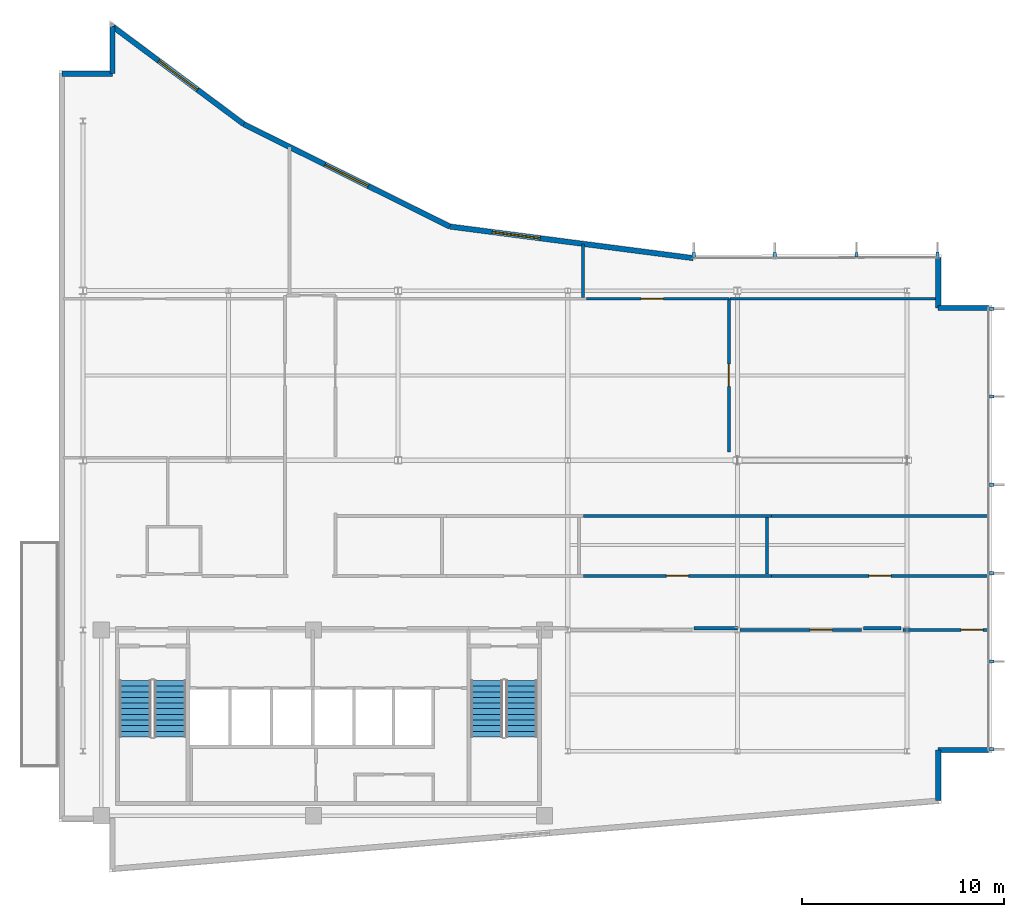
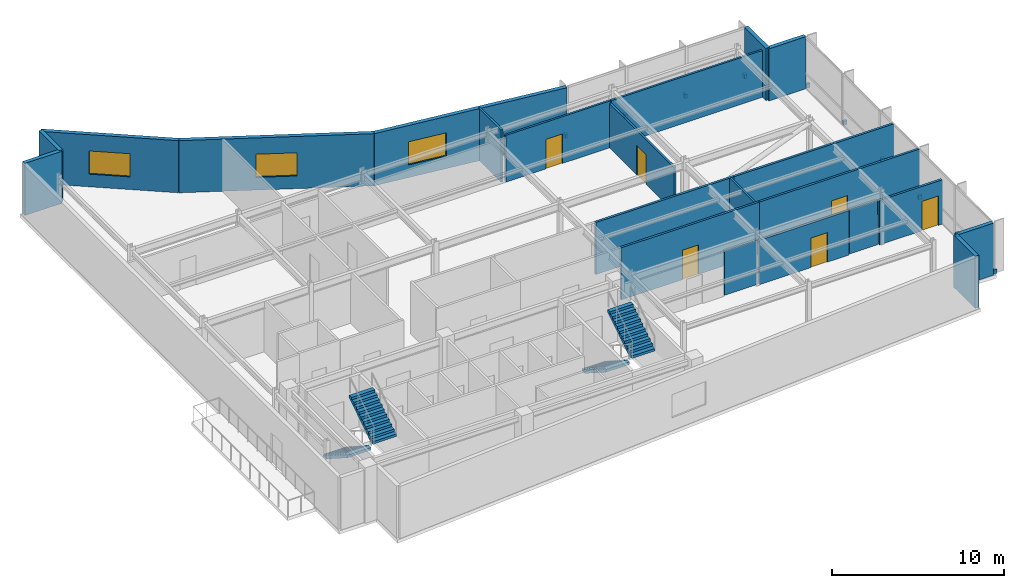
# One storey, part 16 of 19: 22 walls, 10 discrete accessories, 6 doors, 4 stair flights, 3 windows, 9 openings, 2 elements without a shape of their own.
"""IFC4 building model written with IfcOpenShell, lengths in metres."""

from ifc_helpers import new_model, si_unit, direction, frame, frame_2d, origin, origin_2d, place, context, subcontext, project, spatial, polyline, rectangle, outline, extrude, material, layer, layer_set, type_object, element, fill, aggregate, save


model = new_model("IFC4")

# Units and contexts
model_context = context("Model", 3, precision=1e-05, world=origin(), true_north=direction((0.0, 1.0)))
body_context = subcontext(model_context, "Body", "Model", "MODEL_VIEW")
ifc_project = project(units=[si_unit("LENGTHUNIT", "METRE"), si_unit("AREAUNIT", "SQUARE_METRE"), si_unit("VOLUMEUNIT", "CUBIC_METRE"), si_unit("PLANEANGLEUNIT", "RADIAN"), si_unit("MASSUNIT", "GRAM", prefix="KILO")], contexts=[model_context])

# Site, building, storey
site_placement = place(None, origin())
site = spatial("IfcSite", under=ifc_project, at=site_placement, CompositionType="ELEMENT")
building_placement = place(site_placement, origin())
building = spatial("IfcBuilding", under=site, at=building_placement, Name="Varnakote Quay Hospital", CompositionType="ELEMENT")
storey_placement = place(building_placement, frame((0.0, 0.0, 240.75)))
storey = spatial("IfcBuildingStorey", under=building, at=storey_placement, Name="L59", CompositionType="ELEMENT", Elevation=240.75)

# Walls
ifc_material_1 = material(Name="Fire-rated acoustic gypsum stud wall", Category="gypsum")
ifc_layer_1 = layer(ifc_material_1, 0.159912109375)
ifc_layer_set_1 = layer_set([ifc_layer_1], Name="Fire-rated acoustic gypsum stud wall")
wall_type_1 = type_object("IfcWallType", Name="WL-COMP-160", PredefinedType="PARTITIONING", material=ifc_layer_set_1)
wall_1_placement = place(storey_placement, frame((31.439208984375, 12.080078125, 0.0), z_axis=(0.0, 0.0, 1.0), x_axis=(1.0, 0.0, 0.0)))
element("IfcWall", 1, at=wall_1_placement, inside=storey, type_object=wall_type_1, Name="L59 Corridor South Gap Wall", PredefinedType="PARTITIONING", context=body_context, shape_type="SweptSolid", body=[
    extrude(rectangle(XDim=2.198486328125, YDim=0.159912109375, at=frame_2d((1.09912109375, 0.0))), origin(), (0.0, 0.0, 1.0), 3.156982421875),
])
wall_2_placement = place(storey_placement, frame((39.83935546875, 12.080078125, 0.0), z_axis=(0.0, 0.0, 1.0), x_axis=(1.0, 0.0, 0.0)))
element("IfcWall", 2, at=wall_2_placement, inside=storey, type_object=wall_type_1, Name="L59 Corridor South Gap Wall", PredefinedType="PARTITIONING", context=body_context, shape_type="SweptSolid", body=[
    extrude(rectangle(XDim=1.871337890625, YDim=0.159912109375, at=frame_2d((0.935546875, 0.0))), origin(), (0.0, 0.0, 1.0), 3.156982421875),
])
ifc_material_2 = material(Name="Precast concrete N50 (f'c 50 MPa)", Category="concrete")
ifc_layer_2 = layer(ifc_material_2, 0.260009765625)
ifc_layer_set_2 = layer_set([ifc_layer_2], Name="Precast concrete N50 (f'c 50 MPa)")
wall_type_2 = type_object("IfcWallType", Name="WL-EXT-BRICK-260", PredefinedType="STANDARD", material=ifc_layer_set_2)
wall_3_placement = place(storey_placement, frame((43.5400390625, 3.54736328125, 0.0), z_axis=(0.0, 0.0, 1.0), x_axis=(0.0, 1.0, 0.0)))
element("IfcWall", 3, at=wall_3_placement, inside=storey, type_object=wall_type_2, Name="L59 Brick-Faced Precast Exterior Wall", PredefinedType="STANDARD", context=body_context, shape_type="SweptSolid", body=[
    extrude(rectangle(XDim=2.5126953125, YDim=0.260009765625, at=frame_2d((1.25634765625, 0.0))), origin(), (0.0, 0.0, 1.0), 3.7099609375),
])
for number, where, z_axis, x_axis, name in (
    (4, (43.5400390625, 6.06005859375, 0.0), (0.0, 0.0, 1.0), (1.0, 0.0, 0.0), "L59 Brick-Faced Precast Exterior Wall"),
    (5, (46.0400390625, 27.93994140625, 0.0), (0.0, 0.0, 1.0), (-1.0, 0.0, 0.0), "L59 Brick-Faced Precast Exterior Wall"),
):
    element("IfcWall", number, at=place(storey_placement, frame(where, z_axis=z_axis, x_axis=x_axis)), inside=storey, type_object=wall_type_2, Name=name, PredefinedType="STANDARD", context=body_context, shape_type="SweptSolid", body=[
        extrude(rectangle(XDim=2.5, YDim=0.260009765625, at=frame_2d((1.25, 0.0))), origin(), (0.0, 0.0, 1.0), 3.7099609375),
    ])
wall_4_placement = place(storey_placement, frame((43.5400390625, 27.93994140625, 0.0), z_axis=(0.0, 0.0, 1.0), x_axis=(0.0, 1.0, 0.0)))
element("IfcWall", 6, at=wall_4_placement, inside=storey, type_object=wall_type_2, Name="L59 Brick-Faced Precast Exterior Wall", PredefinedType="STANDARD", context=body_context, shape_type="SweptSolid", body=[
    extrude(rectangle(XDim=2.499755859375, YDim=0.260009765625, at=frame_2d((1.25, 0.0))), origin(), (0.0, 0.0, 1.0), 3.7099609375),
])

# Wall, opening, window
wall_5_placement = place(storey_placement, frame((31.406005859375, 30.407958984375, 0.0), z_axis=(0.0, 0.0, 1.0), x_axis=(-0.991671073677, 0.128796279577, 0.0)))
wall_5 = element("IfcWall", 7, at=wall_5_placement, inside=storey, type_object=wall_type_2, Name="L59 Brick-Faced Precast Exterior Wall", PredefinedType="STANDARD", context=body_context, shape_type="SweptSolid", body=[
    extrude(rectangle(XDim=12.150634765625, YDim=0.260009765625, at=frame_2d((6.0751953125, 0.0))), origin(), (0.0, 0.0, 1.0), 3.7099609375),
])
opening_1_placement = place(wall_5_placement, frame((7.631103515625, 0.0, 0.89990234375)))
opening_1 = element("IfcOpeningElement", 8, at=opening_1_placement, cuts=wall_5, Name="Opening WN-0239", PredefinedType="OPENING", context=body_context, shape_type="SweptSolid", body=[
    extrude(rectangle(XDim=2.39990234375, YDim=1.64990234375, at=frame_2d((1.199951171875, 0.824951171875))), frame((0.0, 0.139892578125, 0.0), z_axis=(0.0, -1.0, 0.0), x_axis=(1.0, 0.0, 0.0)), (0.0, 0.0, 1.0), 0.280029296875),
])
ifc_material_3 = material(Name="Double-glazed low-E solar glass", Category="glass")
window_type = type_object("IfcWindowType", Name="WIN-CLIN-2400x1650", PartitioningType="SINGLE_PANEL", PredefinedType="WINDOW", material=ifc_material_3)
window_1_placement = place(opening_1_placement, origin())
window_1 = element("IfcWindow", 9, at=window_1_placement, inside=storey, type_object=window_type, Name="L59 Solar-Control Clinical Window", OverallHeight=1.64990234375, OverallWidth=2.39990234375, PartitioningType="SINGLE_PANEL", PredefinedType="WINDOW", context=body_context, shape_type="SweptSolid", body=[
    extrude(rectangle(XDim=2.39990234375, YDim=1.64990234375, at=frame_2d((1.199951171875, 0.824951171875))), frame((0.0, 0.030029296875, 0.0), z_axis=(0.0, -1.0, 0.0), x_axis=(1.0, 0.0, 0.0)), (0.0, 0.0, 1.0), 0.06005859375),
])
fill(opening_1, window_1)

wall_6_placement = place(storey_placement, frame((19.356689453125, 31.972900390625, 0.0), z_axis=(0.0, 0.0, 1.0), x_axis=(-0.895624365378, 0.444811191565, 0.0)))
wall_6 = element("IfcWall", 10, at=wall_6_placement, inside=storey, type_object=wall_type_2, Name="L59 Brick-Faced Precast Exterior Wall", PredefinedType="STANDARD", context=body_context, shape_type="SweptSolid", body=[
    extrude(rectangle(XDim=11.389404296875, YDim=0.260009765625, at=frame_2d((5.69482421875, 0.0))), origin(), (0.0, 0.0, 1.0), 3.7099609375),
])
opening_2_placement = place(wall_6_placement, frame((4.494873046875, 0.0, 0.89990234375)))
opening_2 = element("IfcOpeningElement", 11, at=opening_2_placement, cuts=wall_6, Name="Opening WN-0240", PredefinedType="OPENING", context=body_context, shape_type="SweptSolid", body=[
    extrude(rectangle(XDim=2.39990234375, YDim=1.64990234375, at=frame_2d((1.199951171875, 0.824951171875))), frame((0.0, 0.139892578125, 0.0), z_axis=(0.0, -1.0, 0.0), x_axis=(1.0, 0.0, 0.0)), (0.0, 0.0, 1.0), 0.280029296875),
])
window_2_placement = place(opening_2_placement, origin())
window_2 = element("IfcWindow", 12, at=window_2_placement, inside=storey, type_object=window_type, Name="L59 Solar-Control Clinical Window", OverallHeight=1.64990234375, OverallWidth=2.39990234375, PartitioningType="SINGLE_PANEL", PredefinedType="WINDOW", context=body_context, shape_type="SweptSolid", body=[
    extrude(rectangle(XDim=2.39990234375, YDim=1.64990234375, at=frame_2d((1.199951171875, 0.824951171875))), frame((0.0, 0.030029296875, 0.0), z_axis=(0.0, -1.0, 0.0), x_axis=(1.0, 0.0, 0.0)), (0.0, 0.0, 1.0), 0.06005859375),
])
fill(opening_2, window_2)

wall_7_placement = place(storey_placement, frame((9.156005859375, 37.0390625, 0.0), z_axis=(0.0, 0.0, 1.0), x_axis=(-0.801775528243, 0.597625302602, 0.0)))
wall_7 = element("IfcWall", 13, at=wall_7_placement, inside=storey, type_object=wall_type_2, Name="L59 Brick-Faced Precast Exterior Wall", PredefinedType="STANDARD", context=body_context, shape_type="SweptSolid", body=[
    extrude(rectangle(XDim=8.10205078125, YDim=0.260009765625, at=frame_2d((4.051025390625, 0.0))), origin(), (0.0, 0.0, 1.0), 3.7099609375),
])
opening_3_placement = place(wall_7_placement, frame((2.85107421875, 0.0, 0.89990234375)))
opening_3 = element("IfcOpeningElement", 14, at=opening_3_placement, cuts=wall_7, Name="Opening WN-0241", PredefinedType="OPENING", context=body_context, shape_type="SweptSolid", body=[
    extrude(rectangle(XDim=2.39990234375, YDim=1.64990234375, at=frame_2d((1.199951171875, 0.824951171875))), frame((0.0, 0.139892578125, 0.0), z_axis=(0.0, -1.0, 0.0), x_axis=(1.0, 0.0, 0.0)), (0.0, 0.0, 1.0), 0.280029296875),
])
window_3_placement = place(opening_3_placement, origin())
window_3 = element("IfcWindow", 15, at=window_3_placement, inside=storey, type_object=window_type, Name="L59 Solar-Control Clinical Window", OverallHeight=1.64990234375, OverallWidth=2.39990234375, PartitioningType="SINGLE_PANEL", PredefinedType="WINDOW", context=body_context, shape_type="SweptSolid", body=[
    extrude(rectangle(XDim=2.39990234375, YDim=1.64990234375, at=frame_2d((1.199951171875, 0.824951171875))), frame((0.0, 0.030029296875, 0.0), z_axis=(0.0, -1.0, 0.0), x_axis=(1.0, 0.0, 0.0)), (0.0, 0.0, 1.0), 0.06005859375),
])
fill(opening_3, window_3)

# Walls
wall_8_placement = place(storey_placement, frame((2.659912109375, 41.881103515625, 0.0), z_axis=(0.0, 0.0, 1.0), x_axis=(0.0, -1.0, 0.0)))
element("IfcWall", 16, at=wall_8_placement, inside=storey, type_object=wall_type_2, Name="L59 Brick-Faced Precast Exterior Wall", PredefinedType="STANDARD", context=body_context, shape_type="SweptSolid", body=[
    extrude(rectangle(XDim=2.341064453125, YDim=0.260009765625, at=frame_2d((1.17041015625, 0.0))), origin(), (0.0, 0.0, 1.0), 3.7099609375),
])
wall_9_placement = place(storey_placement, frame((2.659912109375, 39.5400390625, 0.0), z_axis=(0.0, 0.0, 1.0), x_axis=(-1.0, 0.0, 0.0)))
element("IfcWall", 17, at=wall_9_placement, inside=storey, type_object=wall_type_2, Name="L59 Brick-Faced Precast Exterior Wall", PredefinedType="STANDARD", context=body_context, shape_type="SweptSolid", body=[
    extrude(rectangle(XDim=2.5, YDim=0.260009765625, at=frame_2d((1.25, 0.0))), origin(), (0.0, 0.0, 1.0), 3.7099609375),
])
ifc_material_4 = material(Name="Smoke-proof clinical partition", Category="gypsum")
ifc_layer_3 = layer(ifc_material_4, 0.135009765625)
ifc_layer_set_3 = layer_set([ifc_layer_3], Name="Smoke-proof clinical partition")
wall_type_3 = type_object("IfcWallType", Name="WL-SMOKE-135", PredefinedType="PARTITIONING", material=ifc_layer_set_3)
wall_10_placement = place(storey_placement, frame((35.06005859375, 14.760009765625, 0.0), z_axis=(0.0, 0.0, 1.0), x_axis=(0.0, 1.0, 0.0)))
element("IfcWall", 18, at=wall_10_placement, inside=storey, type_object=wall_type_3, Name="L59 Clinical Interior Partition", PredefinedType="PARTITIONING", context=body_context, shape_type="SweptSolid", body=[
    extrude(rectangle(XDim=2.81005859375, YDim=0.135009765625, at=frame_2d((1.405029296875, 0.0))), origin(), (0.0, 0.0, 1.0), 3.7099609375),
])

# Wall, opening, door
wall_11_placement = place(storey_placement, frame((33.179931640625, 20.820068359375, 0.0), z_axis=(0.0, 0.0, 1.0), x_axis=(0.0, 1.0, 0.0)))
wall_11 = element("IfcWall", 19, at=wall_11_placement, inside=storey, type_object=wall_type_3, Name="L59 Clinical Interior Partition", PredefinedType="PARTITIONING", context=body_context, shape_type="SweptSolid", body=[
    extrude(rectangle(XDim=7.579833984375, YDim=0.135009765625, at=frame_2d((3.7900390625, 0.0))), origin(), (0.0, 0.0, 1.0), 3.156982421875),
])
opening_4_placement = place(wall_11_placement, frame((3.239990234375, 0.0, 0.0)))
opening_4 = element("IfcOpeningElement", 20, at=opening_4_placement, cuts=wall_11, Name="Opening D-L59-MD08", PredefinedType="OPENING", context=body_context, shape_type="SweptSolid", body=[
    extrude(rectangle(XDim=1.10009765625, YDim=2.10009765625, at=frame_2d((0.550048828125, 1.050048828125))), frame((0.0, 0.077392578125, 0.0), z_axis=(0.0, -1.0, 0.0), x_axis=(1.0, 0.0, 0.0)), (0.0, 0.0, 1.0), 0.155029296875),
])
ifc_material_5 = material(Name="Acoustic timber clinical consult door", Category="wood")
door_type = type_object("IfcDoorType", Name="DR-CLIN-FD30S-1100x2100", OperationType="NOTDEFINED", PredefinedType="DOOR", material=ifc_material_5)
door_1_placement = place(opening_4_placement, origin())
door_1 = element("IfcDoor", 21, at=door_1_placement, inside=storey, type_object=door_type, Name="L59 Ward Preparation Pantry Door", OperationType="SINGLE_SWING_RIGHT", OverallHeight=2.10009765625, OverallWidth=1.10009765625, PredefinedType="DOOR", context=body_context, shape_type="SweptSolid", body=[
    extrude(rectangle(XDim=1.10009765625, YDim=2.10009765625, at=frame_2d((0.550048828125, 1.050048828125))), frame((0.0, 0.02490234375, 0.0), z_axis=(0.0, -1.0, 0.0), x_axis=(1.0, 0.0, 0.0)), (0.0, 0.0, 1.0), 0.050048828125),
])
fill(opening_4, door_1)

wall_12_placement = place(storey_placement, frame((33.179931640625, 28.39990234375, 0.0), z_axis=(0.0, 0.0, 1.0), x_axis=(-1.0, 0.0, 0.0)))
wall_12 = element("IfcWall", 22, at=wall_12_placement, inside=storey, type_object=wall_type_3, Name="L59 Clinical Interior Partition", PredefinedType="PARTITIONING", context=body_context, shape_type="SweptSolid", body=[
    extrude(rectangle(XDim=7.03955078125, YDim=0.135009765625, at=frame_2d((3.519775390625, 0.0))), origin(), (0.0, 0.0, 1.0), 3.325927734375),
])
opening_5_placement = place(wall_12_placement, frame((3.24658203125, 0.0, 0.0)))
opening_5 = element("IfcOpeningElement", 23, at=opening_5_placement, cuts=wall_12, Name="Opening D-L59-MD11", PredefinedType="OPENING", context=body_context, shape_type="SweptSolid", body=[
    extrude(rectangle(XDim=1.10009765625, YDim=2.10009765625, at=frame_2d((0.550048828125, 1.050048828125))), frame((0.0, 0.077392578125, 0.0), z_axis=(0.0, -1.0, 0.0), x_axis=(1.0, 0.0, 0.0)), (0.0, 0.0, 1.0), 0.155029296875),
])
door_2_placement = place(opening_5_placement, origin())
door_2 = element("IfcDoor", 24, at=door_2_placement, inside=storey, type_object=door_type, Name="L59 Senior Registrar Office Door", OperationType="SINGLE_SWING_LEFT", OverallHeight=2.10009765625, OverallWidth=1.10009765625, PredefinedType="DOOR", context=body_context, shape_type="SweptSolid", body=[
    extrude(rectangle(XDim=1.10009765625, YDim=2.10009765625, at=frame_2d((0.550048828125, 1.050048828125))), frame((0.0, 0.02490234375, 0.0), z_axis=(0.0, -1.0, 0.0), x_axis=(1.0, 0.0, 0.0)), (0.0, 0.0, 1.0), 0.050048828125),
])
fill(opening_5, door_2)

# Walls
wall_13_placement = place(storey_placement, frame((43.5400390625, 28.39990234375, 0.0), z_axis=(0.0, 0.0, 1.0), x_axis=(-1.0, 0.0, 0.0)))
element("IfcWall", 25, at=wall_13_placement, inside=storey, type_object=wall_type_3, Name="L59 Clinical Interior Partition", PredefinedType="PARTITIONING", context=body_context, shape_type="SweptSolid", body=[
    extrude(rectangle(XDim=10.302490234375, YDim=0.135009765625, at=frame_2d((5.1513671875, 0.0))), origin(), (0.0, 0.0, 1.0), 3.325927734375),
])
wall_14_placement = place(storey_placement, frame((25.9599609375, 28.45751953125, 0.0), z_axis=(0.0, 0.0, 1.0), x_axis=(0.0, 1.0, 0.0)))
element("IfcWall", 26, at=wall_14_placement, inside=storey, type_object=wall_type_3, Name="L59 Clinical Interior Partition", PredefinedType="PARTITIONING", context=body_context, shape_type="SweptSolid", body=[
    extrude(rectangle(XDim=2.65771484375, YDim=0.135009765625, at=frame_2d((1.328857421875, 0.0))), origin(), (0.0, 0.0, 1.0), 3.7099609375),
])

# Wall, opening, door
ifc_material_6 = material(Name="Fire-rated clinical gypsum partition", Category="gypsum")
ifc_layer_4 = layer(ifc_material_6, 0.14990234375)
ifc_layer_set_4 = layer_set([ifc_layer_4], Name="Fire-rated clinical gypsum partition")
wall_type_4 = type_object("IfcWallType", Name="WL-WARD-150", PredefinedType="PARTITIONING", material=ifc_layer_set_4)
wall_15_placement = place(storey_placement, frame((39.75, 12.0, 0.0), z_axis=(0.0, 0.0, 1.0), x_axis=(-1.0, 0.0, 0.0)))
wall_15 = element("IfcWall", 27, at=wall_15_placement, inside=storey, type_object=wall_type_4, Name="L59 Clinical Interior Partition", PredefinedType="PARTITIONING", context=body_context, shape_type="SweptSolid", body=[
    extrude(rectangle(XDim=6.02294921875, YDim=0.14990234375, at=frame_2d((3.011474609375, 0.0))), origin(), (0.0, 0.0, 1.0), 3.156982421875),
])
opening_6_placement = place(wall_15_placement, frame((1.44384765625, 0.0, 0.0)))
opening_6 = element("IfcOpeningElement", 28, at=opening_6_placement, cuts=wall_15, Name="Opening D-L59-RM1", PredefinedType="OPENING", context=body_context, shape_type="SweptSolid", body=[
    extrude(rectangle(XDim=1.10009765625, YDim=2.10009765625, at=frame_2d((0.550048828125, 1.050048828125))), frame((0.0, 0.0849609375, 0.0), z_axis=(0.0, -1.0, 0.0), x_axis=(1.0, 0.0, 0.0)), (0.0, 0.0, 1.0), 0.169921875),
])
door_3_placement = place(opening_6_placement, origin())
door_3 = element("IfcDoor", 29, at=door_3_placement, inside=storey, type_object=door_type, Name="L59 Cardiac Telemetry Treatment Suite Door", OperationType="SINGLE_SWING_RIGHT", OverallHeight=2.10009765625, OverallWidth=1.10009765625, PredefinedType="DOOR", context=body_context, shape_type="SweptSolid", body=[
    extrude(rectangle(XDim=1.10009765625, YDim=2.10009765625, at=frame_2d((0.550048828125, 1.050048828125))), frame((0.0, 0.02490234375, 0.0), z_axis=(0.0, -1.0, 0.0), x_axis=(1.0, 0.0, 0.0)), (0.0, 0.0, 1.0), 0.050048828125),
])
fill(opening_6, door_3)

wall_16_placement = place(storey_placement, frame((46.0400390625, 12.0, 0.0), z_axis=(0.0, 0.0, 1.0), x_axis=(-1.0, 0.0, 0.0)))
wall_16 = element("IfcWall", 30, at=wall_16_placement, inside=storey, type_object=wall_type_4, Name="L59 Clinical Interior Partition", PredefinedType="PARTITIONING", context=body_context, shape_type="SweptSolid", body=[
    extrude(rectangle(XDim=4.239990234375, YDim=0.14990234375, at=frame_2d((2.1201171875, 0.0))), origin(), (0.0, 0.0, 1.0), 3.156982421875),
])
opening_7_placement = place(wall_16_placement, frame((0.2685546875, 0.0, 0.0)))
opening_7 = element("IfcOpeningElement", 31, at=opening_7_placement, cuts=wall_16, Name="Opening D-L59-SE1", PredefinedType="OPENING", context=body_context, shape_type="SweptSolid", body=[
    extrude(rectangle(XDim=1.10009765625, YDim=2.10009765625, at=frame_2d((0.550048828125, 1.050048828125))), frame((0.0, 0.0849609375, 0.0), z_axis=(0.0, -1.0, 0.0), x_axis=(1.0, 0.0, 0.0)), (0.0, 0.0, 1.0), 0.169921875),
])
door_4_placement = place(opening_7_placement, origin())
door_4 = element("IfcDoor", 32, at=door_4_placement, inside=storey, type_object=door_type, Name="L59 Clinical Biomedical Engineering Office Door", OperationType="SINGLE_SWING_LEFT", OverallHeight=2.10009765625, OverallWidth=1.10009765625, PredefinedType="DOOR", context=body_context, shape_type="SweptSolid", body=[
    extrude(rectangle(XDim=1.10009765625, YDim=2.10009765625, at=frame_2d((0.550048828125, 1.050048828125))), frame((0.0, 0.02490234375, 0.0), z_axis=(0.0, -1.0, 0.0), x_axis=(1.0, 0.0, 0.0)), (0.0, 0.0, 1.0), 0.050048828125),
])
fill(opening_7, door_4)

wall_17_placement = place(storey_placement, frame((35.285888671875, 14.679931640625, 0.0), z_axis=(0.0, 0.0, 1.0), x_axis=(-1.0, 0.0, 0.0)))
wall_17 = element("IfcWall", 33, at=wall_17_placement, inside=storey, type_object=wall_type_4, Name="L59 Clinical Interior Partition", PredefinedType="PARTITIONING", context=body_context, shape_type="SweptSolid", body=[
    extrude(rectangle(XDim=9.2978515625, YDim=0.14990234375, at=frame_2d((4.64892578125, 0.0))), origin(), (0.0, 0.0, 1.0), 3.7099609375),
])
opening_8_placement = place(wall_17_placement, frame((4.09912109375, 0.0, 0.0)))
opening_8 = element("IfcOpeningElement", 34, at=opening_8_placement, cuts=wall_17, Name="Opening D-L59-MD04", PredefinedType="OPENING", context=body_context, shape_type="SweptSolid", body=[
    extrude(rectangle(XDim=1.10009765625, YDim=2.10009765625, at=frame_2d((0.550048828125, 1.050048828125))), frame((0.0, 0.0849609375, 0.0), z_axis=(0.0, -1.0, 0.0), x_axis=(1.0, 0.0, 0.0)), (0.0, 0.0, 1.0), 0.169921875),
])
door_5_placement = place(opening_8_placement, origin())
door_5 = element("IfcDoor", 35, at=door_5_placement, inside=storey, type_object=door_type, Name="L59 Ward Preparation Pantry Door", OperationType="SINGLE_SWING_RIGHT", OverallHeight=2.10009765625, OverallWidth=1.10009765625, PredefinedType="DOOR", context=body_context, shape_type="SweptSolid", body=[
    extrude(rectangle(XDim=1.10009765625, YDim=2.10009765625, at=frame_2d((0.550048828125, 1.050048828125))), frame((0.0, 0.02490234375, 0.0), z_axis=(0.0, -1.0, 0.0), x_axis=(1.0, 0.0, 0.0)), (0.0, 0.0, 1.0), 0.050048828125),
])
fill(opening_8, door_5)

wall_18_placement = place(storey_placement, frame((46.0400390625, 14.679931640625, 0.0), z_axis=(0.0, 0.0, 1.0), x_axis=(-1.0, 0.0, 0.0)))
wall_18 = element("IfcWall", 36, at=wall_18_placement, inside=storey, type_object=wall_type_4, Name="L59 Clinical Interior Partition", PredefinedType="PARTITIONING", context=body_context, shape_type="SweptSolid", body=[
    extrude(rectangle(XDim=10.751953125, YDim=0.14990234375, at=frame_2d((5.3759765625, 0.0))), origin(), (0.0, 0.0, 1.0), 3.7099609375),
])
opening_9_placement = place(wall_18_placement, frame((4.825927734375, 0.0, 0.0)))
opening_9 = element("IfcOpeningElement", 37, at=opening_9_placement, cuts=wall_18, Name="Opening D-L59-MD05", PredefinedType="OPENING", context=body_context, shape_type="SweptSolid", body=[
    extrude(rectangle(XDim=1.10009765625, YDim=2.10009765625, at=frame_2d((0.550048828125, 1.050048828125))), frame((0.0, 0.0849609375, 0.0), z_axis=(0.0, -1.0, 0.0), x_axis=(1.0, 0.0, 0.0)), (0.0, 0.0, 1.0), 0.169921875),
])
door_6_placement = place(opening_9_placement, origin())
door_6 = element("IfcDoor", 38, at=door_6_placement, inside=storey, type_object=door_type, Name="L59 Multidisciplinary Clinical Consultation Suite Door", OperationType="SINGLE_SWING_LEFT", OverallHeight=2.10009765625, OverallWidth=1.10009765625, PredefinedType="DOOR", context=body_context, shape_type="SweptSolid", body=[
    extrude(rectangle(XDim=1.10009765625, YDim=2.10009765625, at=frame_2d((0.550048828125, 1.050048828125))), frame((0.0, 0.02490234375, 0.0), z_axis=(0.0, -1.0, 0.0), x_axis=(1.0, 0.0, 0.0)), (0.0, 0.0, 1.0), 0.050048828125),
])
fill(opening_9, door_6)

# Walls
wall_19_placement = place(storey_placement, frame((25.988037109375, 17.64990234375, 0.0), z_axis=(0.0, 0.0, 1.0), x_axis=(1.0, 0.0, 0.0)))
element("IfcWall", 39, at=wall_19_placement, inside=storey, type_object=wall_type_4, Name="L59 Clinical Interior Partition", PredefinedType="PARTITIONING", context=body_context, shape_type="SweptSolid", body=[
    extrude(rectangle(XDim=9.2978515625, YDim=0.14990234375, at=frame_2d((4.64892578125, 0.0))), origin(), (0.0, 0.0, 1.0), 3.7099609375),
])
wall_20_placement = place(storey_placement, frame((35.2880859375, 17.64990234375, 0.0), z_axis=(0.0, 0.0, 1.0), x_axis=(1.0, 0.0, 0.0)))
element("IfcWall", 40, at=wall_20_placement, inside=storey, type_object=wall_type_4, Name="L59 Clinical Interior Partition", PredefinedType="PARTITIONING", context=body_context, shape_type="SweptSolid", body=[
    extrude(rectangle(XDim=10.751953125, YDim=0.14990234375, at=frame_2d((5.3759765625, 0.0))), origin(), (0.0, 0.0, 1.0), 3.7099609375),
])

# Stair, stair flights
ifc_material_7 = material(Name="Concrete N40 (f'c 40 MPa)", Category="concrete")
stair_type = type_object("IfcStairType", Name="STR-CORE-1580", PredefinedType="HALF_TURN_STAIR", material=ifc_material_7)
stair_1_placement = place(storey_placement, origin())
stair_1 = element("IfcStair", 41, at=stair_1_placement, inside=storey, type_object=stair_type, Name="L59 Fire-Isolated Exit Stair ST-01", PredefinedType="HALF_TURN_STAIR")
ifc_material_8 = material(Name="Concrete N40 (f'c 40 MPa)", Category="concrete")
ifc_layer_5 = layer(ifc_material_8, 0.159912109375)
ifc_layer_set_5 = layer_set([ifc_layer_5], Name="Concrete N40 (f'c 40 MPa)")
stair_flight_type = type_object("IfcStairFlightType", Name="FLT-CORE-1580", PredefinedType="STRAIGHT", material=ifc_layer_set_5)
stair_flight_1_placement = place(storey_placement, frame((3.7900390625, 9.5, 0.0), z_axis=(0.0, 0.0, 1.0), x_axis=(0.0, -1.0, 0.0)))
stair_flight_1 = element("IfcStairFlight", 42, at=stair_flight_1_placement, type_object=stair_flight_type, Name="ST-01 flight 1", NumberOfRisers=11, NumberOfTreads=10, PredefinedType="STRAIGHT", RiserHeight=0.179545455, TreadLength=0.28, context=body_context, shape_type="SweptSolid", body=[
    extrude(outline(polyline([(0.0, 0.0), (0.0, 0.179443359375), (0.280029296875, 0.179443359375), (0.280029296875, 0.359130859375), (0.56005859375, 0.359130859375), (0.56005859375, 0.53857421875), (0.840087890625, 0.53857421875), (0.840087890625, 0.71826171875), (1.1201171875, 0.71826171875), (1.1201171875, 0.897705078125), (1.39990234375, 0.897705078125), (1.39990234375, 1.077392578125), (1.679931640625, 1.077392578125), (1.679931640625, 1.2568359375), (1.9599609375, 1.2568359375), (1.9599609375, 1.436279296875), (2.239990234375, 1.436279296875), (2.239990234375, 1.615966796875), (2.52001953125, 1.615966796875), (2.52001953125, 1.79541015625), (2.800048828125, 1.79541015625), (2.800048828125, 1.97509765625), (2.800048828125, 1.60546875), (0.296142578125, 0.0), (0.0, 0.0)])), frame((0.0, 0.7900390625, 0.0), z_axis=(0.0, -1.0, 0.0), x_axis=(1.0, 0.0, 0.0)), (0.0, 0.0, 1.0), 1.580078125),
])
stair_flight_2_placement = place(storey_placement, frame((5.510009765625, 6.699951171875, 1.97509765625), z_axis=(0.0, 0.0, 1.0), x_axis=(0.0, 1.0, 0.0)))
stair_flight_2 = element("IfcStairFlight", 43, at=stair_flight_2_placement, type_object=stair_flight_type, Name="ST-01 flight 2", NumberOfRisers=11, NumberOfTreads=10, PredefinedType="STRAIGHT", RiserHeight=0.179545455, TreadLength=0.28, context=body_context, shape_type="SweptSolid", body=[
    extrude(outline(polyline([(0.0, 0.0), (0.0, 0.179443359375), (0.280029296875, 0.179443359375), (0.280029296875, 0.359130859375), (0.56005859375, 0.359130859375), (0.56005859375, 0.53857421875), (0.840087890625, 0.53857421875), (0.840087890625, 0.71826171875), (1.1201171875, 0.71826171875), (1.1201171875, 0.897705078125), (1.39990234375, 0.897705078125), (1.39990234375, 1.077392578125), (1.679931640625, 1.077392578125), (1.679931640625, 1.2568359375), (1.9599609375, 1.2568359375), (1.9599609375, 1.436279296875), (2.239990234375, 1.436279296875), (2.239990234375, 1.615966796875), (2.52001953125, 1.615966796875), (2.52001953125, 1.79541015625), (2.800048828125, 1.79541015625), (2.800048828125, 1.97509765625), (2.800048828125, 1.60546875), (0.296142578125, 0.0), (0.0, 0.0)])), frame((0.0, 0.7900390625, 0.0), z_axis=(0.0, -1.0, 0.0), x_axis=(1.0, 0.0, 0.0)), (0.0, 0.0, 1.0), 1.580078125),
])
aggregate(stair_1, [stair_flight_1, stair_flight_2])

stair_2_placement = place(storey_placement, origin())
stair_2 = element("IfcStair", 44, at=stair_2_placement, inside=storey, type_object=stair_type, Name="L59 Fire-Isolated Exit Stair ST-02", PredefinedType="HALF_TURN_STAIR")
stair_flight_3_placement = place(storey_placement, frame((21.18994140625, 9.5, 0.0), z_axis=(0.0, 0.0, 1.0), x_axis=(0.0, -1.0, 0.0)))
stair_flight_3 = element("IfcStairFlight", 45, at=stair_flight_3_placement, type_object=stair_flight_type, Name="ST-02 flight 1", NumberOfRisers=11, NumberOfTreads=10, PredefinedType="STRAIGHT", RiserHeight=0.179545455, TreadLength=0.28, context=body_context, shape_type="SweptSolid", body=[
    extrude(outline(polyline([(0.0, 0.0), (0.0, 0.179443359375), (0.280029296875, 0.179443359375), (0.280029296875, 0.359130859375), (0.56005859375, 0.359130859375), (0.56005859375, 0.53857421875), (0.840087890625, 0.53857421875), (0.840087890625, 0.71826171875), (1.1201171875, 0.71826171875), (1.1201171875, 0.897705078125), (1.39990234375, 0.897705078125), (1.39990234375, 1.077392578125), (1.679931640625, 1.077392578125), (1.679931640625, 1.2568359375), (1.9599609375, 1.2568359375), (1.9599609375, 1.436279296875), (2.239990234375, 1.436279296875), (2.239990234375, 1.615966796875), (2.52001953125, 1.615966796875), (2.52001953125, 1.79541015625), (2.800048828125, 1.79541015625), (2.800048828125, 1.97509765625), (2.800048828125, 1.60546875), (0.296142578125, 0.0), (0.0, 0.0)])), frame((0.0, 0.7900390625, 0.0), z_axis=(0.0, -1.0, 0.0), x_axis=(1.0, 0.0, 0.0)), (0.0, 0.0, 1.0), 1.580078125),
])
stair_flight_4_placement = place(storey_placement, frame((22.909912109375, 6.699951171875, 1.97509765625), z_axis=(0.0, 0.0, 1.0), x_axis=(0.0, 1.0, 0.0)))
stair_flight_4 = element("IfcStairFlight", 46, at=stair_flight_4_placement, type_object=stair_flight_type, Name="ST-02 flight 2", NumberOfRisers=11, NumberOfTreads=10, PredefinedType="STRAIGHT", RiserHeight=0.179545455, TreadLength=0.28, context=body_context, shape_type="SweptSolid", body=[
    extrude(outline(polyline([(0.0, 0.0), (0.0, 0.179443359375), (0.280029296875, 0.179443359375), (0.280029296875, 0.359130859375), (0.56005859375, 0.359130859375), (0.56005859375, 0.53857421875), (0.840087890625, 0.53857421875), (0.840087890625, 0.71826171875), (1.1201171875, 0.71826171875), (1.1201171875, 0.897705078125), (1.39990234375, 0.897705078125), (1.39990234375, 1.077392578125), (1.679931640625, 1.077392578125), (1.679931640625, 1.2568359375), (1.9599609375, 1.2568359375), (1.9599609375, 1.436279296875), (2.239990234375, 1.436279296875), (2.239990234375, 1.615966796875), (2.52001953125, 1.615966796875), (2.52001953125, 1.79541015625), (2.800048828125, 1.79541015625), (2.800048828125, 1.97509765625), (2.800048828125, 1.60546875), (0.296142578125, 0.0), (0.0, 0.0)])), frame((0.0, 0.7900390625, 0.0), z_axis=(0.0, -1.0, 0.0), x_axis=(1.0, 0.0, 0.0)), (0.0, 0.0, 1.0), 1.580078125),
])
aggregate(stair_2, [stair_flight_3, stair_flight_4])

# Discrete accessories
ifc_material_9 = material(Name="Anodised aluminium 6063-T6 Bronze", Category="aluminium")
discrete_accessory_type = type_object("IfcDiscreteAccessoryType", Name="ACC-FIN-BRACKET-180", PredefinedType="BRACKET", material=ifc_material_9)
for number, where, z_axis, x_axis, name in (
    (47, (46.18994140625, 6.092529296875, 0.0), (0.0, 0.0, 1.0), (0.0, 1.0, 0.0), "L59 Curtain Wall Fin Fixing Bracket"),
    (48, (46.18994140625, 10.43603515625, 0.0), (0.0, 0.0, 1.0), (0.0, 1.0, 0.0), "L59 Curtain Wall Fin Fixing Bracket"),
    (49, (46.18994140625, 14.81201171875, 0.0), (0.0, 0.0, 1.0), (0.0, 1.0, 0.0), "L59 Curtain Wall Fin Fixing Bracket"),
    (50, (46.18994140625, 19.18798828125, 0.0), (0.0, 0.0, 1.0), (0.0, 1.0, 0.0), "L59 Curtain Wall Fin Fixing Bracket"),
    (51, (46.18994140625, 23.56396484375, 0.0), (0.0, 0.0, 1.0), (0.0, 1.0, 0.0), "L59 Curtain Wall Fin Fixing Bracket"),
    (52, (46.18994140625, 27.907470703125, 0.0), (0.0, 0.0, 1.0), (0.0, 1.0, 0.0), "L59 Curtain Wall Fin Fixing Bracket"),
    (53, (43.507080078125, 30.589599609375, 0.0), (0.0, 0.0, 1.0), (-0.999996573056, -0.002617990887, 0.0), "L59 Curtain Wall Fin Fixing Bracket"),
    (54, (39.494873046875, 30.5791015625, 0.0), (0.0, 0.0, 1.0), (-0.999996573056, -0.002617990887, 0.0), "L59 Curtain Wall Fin Fixing Bracket"),
    (55, (35.4501953125, 30.568603515625, 0.0), (0.0, 0.0, 1.0), (-0.999996573056, -0.002617990887, 0.0), "L59 Curtain Wall Fin Fixing Bracket"),
    (56, (31.43798828125, 30.55810546875, 0.0), (0.0, 0.0, 1.0), (-0.999996573056, -0.002617990887, 0.0), "L59 Curtain Wall Fin Fixing Bracket"),
):
    element("IfcDiscreteAccessory", number, at=place(storey_placement, frame(where, z_axis=z_axis, x_axis=x_axis)), inside=storey, type_object=discrete_accessory_type, Name=name, PredefinedType="BRACKET", context=body_context, shape_type="SweptSolid", body=[
        extrude(rectangle(XDim=0.159912109375, YDim=0.239990234375, at=origin_2d()), origin(), (0.0, 0.0, 1.0), 0.280029296875),
    ])

save(model, "model.ifc")
